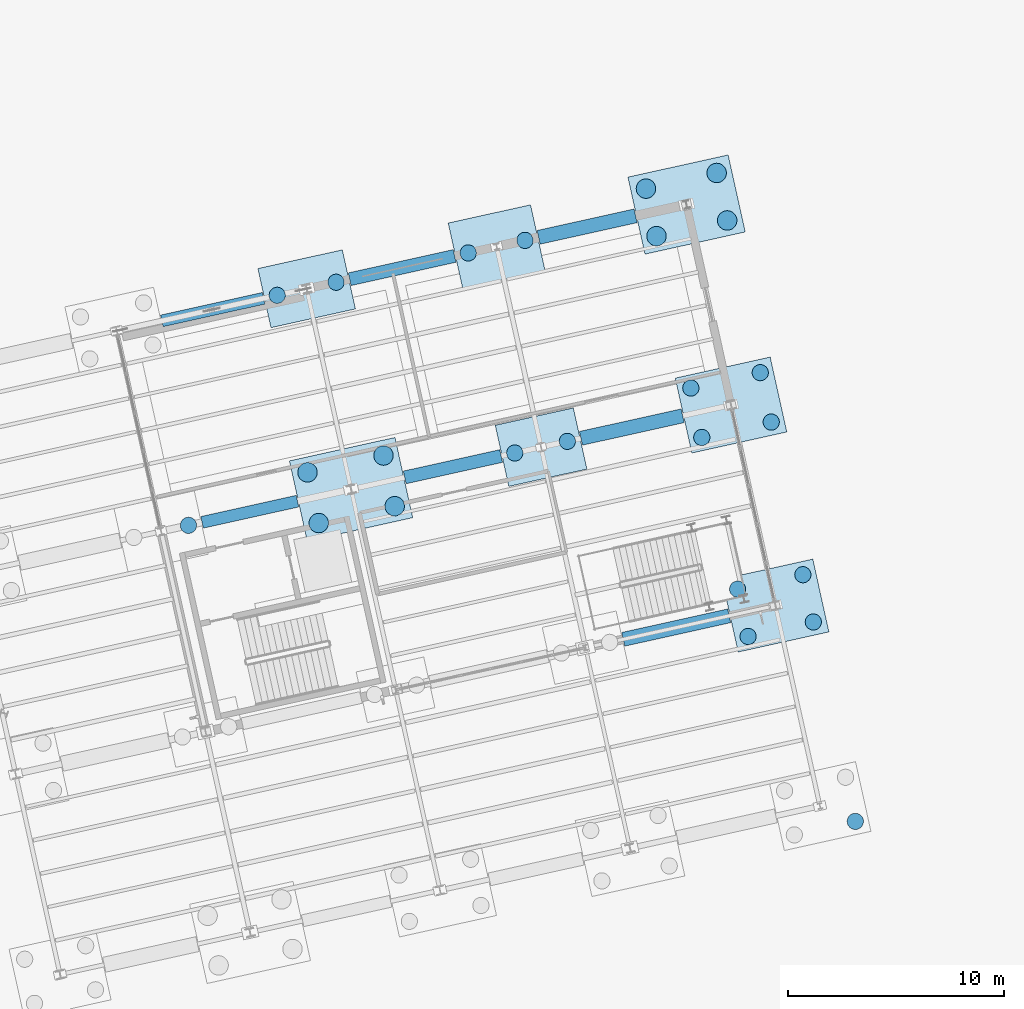
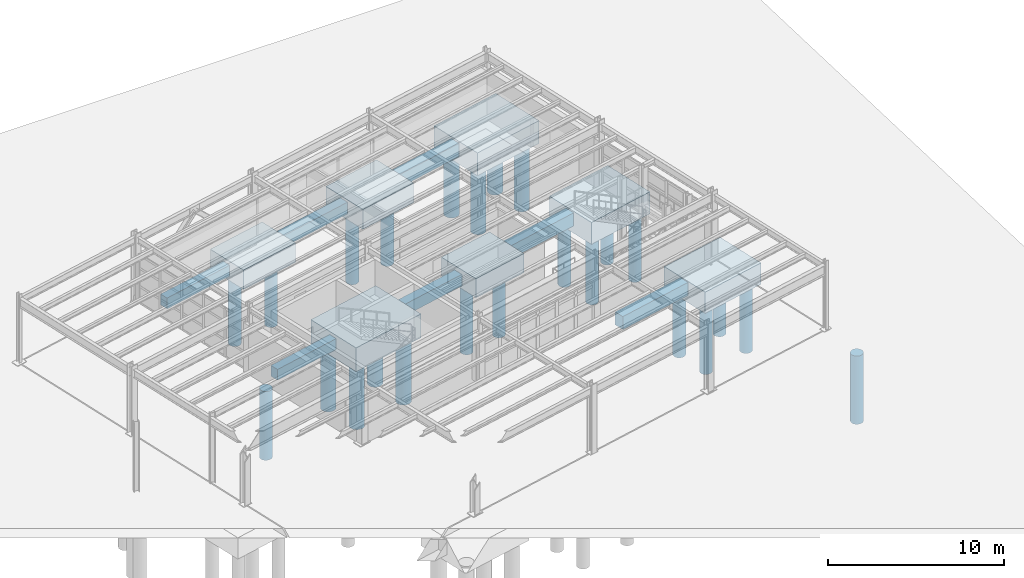
# One storey, part 8 of 108: 24 piles, 14 footings.
"""IFC4 building model written with IfcOpenShell, lengths in metres."""

from ifc_helpers import new_model, si_unit, direction, frame, origin, origin_2d, place, context, subcontext, project, spatial, rectangle, circle, extrude, material, material_profile, profile_set, type_object, element, save


model = new_model("IFC4")

# Units and contexts
model_context = context("Model", 3, precision=1e-05, world=origin(), true_north=direction((0.0, 1.0)))
body_context = subcontext(model_context, "Body", "Model", "MODEL_VIEW")
ifc_project = project(units=[si_unit("LENGTHUNIT", "METRE"), si_unit("AREAUNIT", "SQUARE_METRE"), si_unit("VOLUMEUNIT", "CUBIC_METRE"), si_unit("PLANEANGLEUNIT", "RADIAN"), si_unit("MASSUNIT", "GRAM", prefix="KILO")], contexts=[model_context])

# Site, building, storey
site_placement = place(None, origin())
site = spatial("IfcSite", under=ifc_project, at=site_placement, CompositionType="ELEMENT")
building_placement = place(site_placement, origin())
building = spatial("IfcBuilding", under=site, at=building_placement, Name="Vireo Bluff Cable Station", CompositionType="ELEMENT")
storey_placement = place(building_placement, origin())
storey = spatial("IfcBuildingStorey", under=building, at=storey_placement, Name="L00", CompositionType="ELEMENT", Elevation=0.0)

# Piles
ifc_material_1 = material(Name="Concrete f'c 45 MPa", Category="concrete")
ifc_material_profile_1 = material_profile(ifc_material_1, circle(Radius=0.375, at=origin_2d()), Name="BOREDPILE-750")
ifc_profile_set_1 = profile_set([ifc_material_profile_1], Name="Concrete f'c 45 MPa")
pile_type_1 = type_object("IfcPileType", Name="BOREDPILE-750", PredefinedType="BORED", material=ifc_profile_set_1)
pile_1_placement = place(storey_placement, frame((131.938720703125, 94.77783203125, -1.72998046875), z_axis=(0.0, 0.0, -1.0), x_axis=(1.0, 0.0, 0.0)))
element("IfcPile", 1, at=pile_1_placement, inside=storey, type_object=pile_type_1, Name="V2 rock-socketed bored pile 102", PredefinedType="BORED", context=body_context, shape_type="SweptSolid", body=[
    extrude(circle(Radius=0.375, at=origin_2d()), origin(), (0.0, 0.0, 1.0), 4.77001953125),
])
for number, where, z_axis, x_axis, name in (
    (2, (136.04296875, 105.41845703125, -1.679931640625), (0.0, 0.0, -1.0), (1.0, 0.0, 0.0), "V2 rock-socketed bored pile 117"),
    (3, (138.766845703125, 106.022216796875, -1.679931640625), (0.0, 0.0, -1.0), (1.0, 0.0, 0.0), "V2 rock-socketed bored pile 118"),
):
    element("IfcPile", number, at=place(storey_placement, frame(where, z_axis=z_axis, x_axis=x_axis)), inside=storey, type_object=pile_type_1, Name=name, PredefinedType="BORED", context=body_context, shape_type="SweptSolid", body=[
        extrude(circle(Radius=0.375, at=origin_2d()), origin(), (0.0, 0.0, 1.0), 4.820068359375),
    ])
for number, where, z_axis, x_axis, name in (
    (4, (147.0322265625, 98.1240234375, -1.64990234375), (0.0, 0.0, -1.0), (1.0, 0.0, 0.0), "V2 rock-socketed bored pile 125"),
    (5, (149.463134765625, 98.662841796875, -1.64990234375), (0.0, 0.0, -1.0), (1.0, 0.0, 0.0), "V2 rock-socketed bored pile 126"),
):
    element("IfcPile", number, at=place(storey_placement, frame(where, z_axis=z_axis, x_axis=x_axis)), inside=storey, type_object=pile_type_1, Name=name, PredefinedType="BORED", context=body_context, shape_type="SweptSolid", body=[
        extrude(circle(Radius=0.375, at=origin_2d()), origin(), (0.0, 0.0, 1.0), 4.85009765625),
    ])
for number, where, z_axis, x_axis, name in (
    (6, (144.87841796875, 107.377197265625, -1.7099609375), (0.0, 0.0, -1.0), (1.0, 0.0, 0.0), "V2 rock-socketed bored pile 127"),
    (7, (147.504638671875, 107.95947265625, -1.7099609375), (0.0, 0.0, -1.0), (1.0, 0.0, 0.0), "V2 rock-socketed bored pile 128"),
):
    element("IfcPile", number, at=place(storey_placement, frame(where, z_axis=z_axis, x_axis=x_axis)), inside=storey, type_object=pile_type_1, Name=name, PredefinedType="BORED", context=body_context, shape_type="SweptSolid", body=[
        extrude(circle(Radius=0.375, at=origin_2d()), origin(), (0.0, 0.0, 1.0), 4.7900390625),
    ])
pile_2_placement = place(storey_placement, frame((162.78369140625, 81.08447265625, -1.77001953125), z_axis=(0.0, 0.0, -1.0), x_axis=(1.0, 0.0, 0.0)))
element("IfcPile", 8, at=pile_2_placement, inside=storey, type_object=pile_type_1, Name="V2 rock-socketed bored pile 130", PredefinedType="BORED", context=body_context, shape_type="SweptSolid", body=[
    extrude(circle(Radius=0.375, at=origin_2d()), origin(), (0.0, 0.0, 1.0), 4.72998046875),
])
for number, where, z_axis, x_axis, name in (
    (9, (157.824462890625, 89.638671875, -1.81005859375), (0.0, 0.0, -1.0), (1.0, 0.0, 0.0), "V2 rock-socketed bored pile 133"),
    (10, (160.84130859375, 90.3076171875, -1.81005859375), (0.0, 0.0, -1.0), (1.0, 0.0, 0.0), "V2 rock-socketed bored pile 134"),
    (11, (160.3564453125, 92.494384765625, -1.81005859375), (0.0, 0.0, -1.0), (1.0, 0.0, 0.0), "V2 rock-socketed bored pile 135"),
    (12, (157.339599609375, 91.82568359375, -1.81005859375), (0.0, 0.0, -1.0), (1.0, 0.0, 0.0), "V2 rock-socketed bored pile 136"),
):
    element("IfcPile", number, at=place(storey_placement, frame(where, z_axis=z_axis, x_axis=x_axis)), inside=storey, type_object=pile_type_1, Name=name, PredefinedType="BORED", context=body_context, shape_type="SweptSolid", body=[
        extrude(circle(Radius=0.375, at=origin_2d()), origin(), (0.0, 0.0, 1.0), 4.68994140625),
    ])
for number, where, z_axis, x_axis, name in (
    (13, (155.681640625, 98.84326171875, -1.85009765625), (0.0, 0.0, -1.0), (1.0, 0.0, 0.0), "V2 rock-socketed bored pile 137"),
    (14, (158.8935546875, 99.55517578125, -1.85009765625), (0.0, 0.0, -1.0), (1.0, 0.0, 0.0), "V2 rock-socketed bored pile 138"),
    (15, (158.386962890625, 101.83984375, -1.85009765625), (0.0, 0.0, -1.0), (1.0, 0.0, 0.0), "V2 rock-socketed bored pile 139"),
    (16, (155.175048828125, 101.127685546875, -1.85009765625), (0.0, 0.0, -1.0), (1.0, 0.0, 0.0), "V2 rock-socketed bored pile 140"),
):
    element("IfcPile", number, at=place(storey_placement, frame(where, z_axis=z_axis, x_axis=x_axis)), inside=storey, type_object=pile_type_1, Name=name, PredefinedType="BORED", context=body_context, shape_type="SweptSolid", body=[
        extrude(circle(Radius=0.375, at=origin_2d()), origin(), (0.0, 0.0, 1.0), 4.64990234375),
    ])
ifc_material_profile_2 = material_profile(ifc_material_1, circle(Radius=0.449951171875, at=origin_2d()), Name="BOREDPILE-900")
ifc_profile_set_2 = profile_set([ifc_material_profile_2], Name="Concrete f'c 45 MPa")
pile_type_2 = type_object("IfcPileType", Name="BOREDPILE-900", PredefinedType="BORED", material=ifc_profile_set_2)
for number, where, z_axis, x_axis, name in (
    (17, (137.96337890625, 94.88427734375, -1.97998046875), (0.0, 0.0, -1.0), (1.0, 0.0, 0.0), "V2 rock-socketed bored pile 113"),
    (18, (141.47802734375, 95.66357421875, -1.97998046875), (0.0, 0.0, -1.0), (1.0, 0.0, 0.0), "V2 rock-socketed bored pile 114"),
    (19, (140.95849609375, 98.006591796875, -1.97998046875), (0.0, 0.0, -1.0), (1.0, 0.0, 0.0), "V2 rock-socketed bored pile 115"),
    (20, (137.44384765625, 97.2275390625, -1.97998046875), (0.0, 0.0, -1.0), (1.0, 0.0, 0.0), "V2 rock-socketed bored pile 116"),
):
    element("IfcPile", number, at=place(storey_placement, frame(where, z_axis=z_axis, x_axis=x_axis)), inside=storey, type_object=pile_type_2, Name=name, PredefinedType="BORED", context=body_context, shape_type="SweptSolid", body=[
        extrude(circle(Radius=0.449951171875, at=origin_2d()), origin(), (0.0, 0.0, 1.0), 4.52001953125),
    ])
for number, where, z_axis, x_axis, name in (
    (21, (153.58642578125, 108.1552734375, -1.909912109375), (0.0, 0.0, -1.0), (1.0, 0.0, 0.0), "V2 rock-socketed bored pile 141"),
    (22, (156.85693359375, 108.88037109375, -1.909912109375), (0.0, 0.0, -1.0), (1.0, 0.0, 0.0), "V2 rock-socketed bored pile 142"),
    (23, (156.369873046875, 111.0771484375, -1.909912109375), (0.0, 0.0, -1.0), (1.0, 0.0, 0.0), "V2 rock-socketed bored pile 143"),
    (24, (153.099365234375, 110.35205078125, -1.909912109375), (0.0, 0.0, -1.0), (1.0, 0.0, 0.0), "V2 rock-socketed bored pile 144"),
):
    element("IfcPile", number, at=place(storey_placement, frame(where, z_axis=z_axis, x_axis=x_axis)), inside=storey, type_object=pile_type_2, Name=name, PredefinedType="BORED", context=body_context, shape_type="SweptSolid", body=[
        extrude(circle(Radius=0.449951171875, at=origin_2d()), origin(), (0.0, 0.0, 1.0), 4.590087890625),
    ])

# Footings
ifc_material_2 = material(Name="Concrete f'c 40 MPa", Category="concrete")
ifc_material_profile_3 = material_profile(ifc_material_2, rectangle(XDim=0.550048828125, YDim=0.75, at=origin_2d()), Name="GRADEBM-550X750")
ifc_profile_set_3 = profile_set([ifc_material_profile_3], Name="Concrete f'c 40 MPa")
footing_type_1 = type_object("IfcFootingType", Name="GRADEBM-550X750", PredefinedType="FOOTING_BEAM", material=ifc_profile_set_3)
footing_1_placement = place(storey_placement, frame((132.568359375, 94.91748046875, -1.0), z_axis=(0.976297502588, 0.216432868209, 0.0), x_axis=(-0.216432868209, 0.976297502588, 0.0)))
element("IfcFooting", 25, at=footing_1_placement, inside=storey, type_object=footing_type_1, Name="V2 foundation grade beam 32", PredefinedType="FOOTING_BEAM", context=body_context, shape_type="SweptSolid", body=[
    extrude(rectangle(XDim=0.550048828125, YDim=0.75, at=origin_2d()), origin(), (0.0, 0.0, 1.0), 4.52001953125),
])
footing_2_placement = place(storey_placement, frame((130.70751953125, 104.235595703125, -1.050048828125), z_axis=(0.976295396241, 0.216442369417, 0.0), x_axis=(-0.216442369417, 0.976295396241, 0.0)))
element("IfcFooting", 26, at=footing_2_placement, inside=storey, type_object=footing_type_1, Name="V2 foundation grade beam 36", PredefinedType="FOOTING_BEAM", context=body_context, shape_type="SweptSolid", body=[
    extrude(rectangle(XDim=0.550048828125, YDim=0.75, at=origin_2d()), origin(), (0.0, 0.0, 1.0), 4.81982421875),
])
ifc_material_profile_4 = material_profile(ifc_material_2, rectangle(XDim=0.60009765625, YDim=0.800048828125, at=origin_2d()), Name="GRADEBM-600X800")
ifc_profile_set_4 = profile_set([ifc_material_profile_4], Name="Concrete f'c 40 MPa")
footing_type_2 = type_object("IfcFootingType", Name="GRADEBM-600X800", PredefinedType="FOOTING_BEAM", material=ifc_profile_set_4)
footing_3_placement = place(storey_placement, frame((141.940673828125, 96.995361328125, -1.125), z_axis=(0.976301312072, 0.216415683458, 0.0), x_axis=(-0.216415683458, 0.976301312072, 0.0)))
element("IfcFooting", 27, at=footing_3_placement, inside=storey, type_object=footing_type_2, Name="V2 foundation grade beam 33", PredefinedType="FOOTING_BEAM", context=body_context, shape_type="SweptSolid", body=[
    extrude(rectangle(XDim=0.60009765625, YDim=0.800048828125, at=origin_2d()), origin(), (0.0, 0.0, 1.0), 4.570068359375),
])
footing_4_placement = place(storey_placement, frame((139.396484375, 106.161865234375, -0.97509765625), z_axis=(0.976295589051, 0.216441499716, 0.0), x_axis=(-0.216441499716, 0.976295589051, 0.0)))
element("IfcFooting", 28, at=footing_4_placement, inside=storey, type_object=footing_type_2, Name="V2 foundation grade beam 37", PredefinedType="FOOTING_BEAM", context=body_context, shape_type="SweptSolid", body=[
    extrude(rectangle(XDim=0.60009765625, YDim=0.800048828125, at=origin_2d()), origin(), (0.0, 0.0, 1.0), 4.969970703125),
])
ifc_material_profile_5 = material_profile(ifc_material_2, rectangle(XDim=0.64990234375, YDim=0.89990234375, at=origin_2d()), Name="GRADEBM-650X900")
ifc_profile_set_5 = profile_set([ifc_material_profile_5], Name="Concrete f'c 40 MPa")
footing_type_3 = type_object("IfcFootingType", Name="GRADEBM-650X900", PredefinedType="FOOTING_BEAM", material=ifc_profile_set_5)
footing_5_placement = place(storey_placement, frame((152.05126953125, 89.506103515625, -0.925048828125), z_axis=(0.976301354242, 0.216415493219, 0.0), x_axis=(-0.216415493219, 0.976301354242, 0.0)))
element("IfcFooting", 29, at=footing_5_placement, inside=storey, type_object=footing_type_3, Name="V2 foundation grade beam 30", PredefinedType="FOOTING_BEAM", context=body_context, shape_type="SweptSolid", body=[
    extrude(rectangle(XDim=0.64990234375, YDim=0.89990234375, at=origin_2d()), origin(), (0.0, 0.0, 1.0), 5.02001953125),
])
footing_6_placement = place(storey_placement, frame((150.0927734375, 98.802490234375, -0.9599609375), z_axis=(0.976297769044, 0.216431666258, 0.0), x_axis=(-0.216431666258, 0.976297769044, 0.0)))
element("IfcFooting", 30, at=footing_6_placement, inside=storey, type_object=footing_type_3, Name="V2 foundation grade beam 34", PredefinedType="FOOTING_BEAM", context=body_context, shape_type="SweptSolid", body=[
    extrude(rectangle(XDim=0.64990234375, YDim=0.89990234375, at=origin_2d()), origin(), (0.0, 0.0, 1.0), 4.820068359375),
])
footing_7_placement = place(storey_placement, frame((148.13427734375, 108.09912109375, -0.989990234375), z_axis=(0.976303185616, 0.216407231293, 0.0), x_axis=(-0.216407231293, 0.976303185616, 0.0)))
element("IfcFooting", 31, at=footing_7_placement, inside=storey, type_object=footing_type_3, Name="V2 foundation grade beam 38", PredefinedType="FOOTING_BEAM", context=body_context, shape_type="SweptSolid", body=[
    extrude(rectangle(XDim=0.64990234375, YDim=0.89990234375, at=origin_2d()), origin(), (0.0, 0.0, 1.0), 4.594970703125),
])
footing_type_4 = type_object("IfcFootingType", Name="PCAP-370X290X132", PredefinedType="PILE_CAP", material=ifc_material_2)
footing_8_placement = place(storey_placement, frame((148.24755859375, 98.3935546875, -1.77001953125), z_axis=(0.0, 0.0, 1.0), x_axis=(0.97629600712, 0.216439613938, 0.0)))
element("IfcFooting", 32, at=footing_8_placement, inside=storey, type_object=footing_type_4, Name="V2 pile cap 41", PredefinedType="PILE_CAP", context=body_context, shape_type="SweptSolid", body=[
    extrude(rectangle(XDim=3.699951171875, YDim=2.89990234375, at=origin_2d()), origin(), (0.0, 0.0, 1.0), 1.320068359375),
])
footing_type_5 = type_object("IfcFootingType", Name="PCAP-390X310X138", PredefinedType="PILE_CAP", material=ifc_material_2)
footing_9_placement = place(storey_placement, frame((146.19140625, 107.668212890625, -1.829833984375), z_axis=(0.0, 0.0, 1.0), x_axis=(0.97629600712, 0.216439613938, 0.0)))
element("IfcFooting", 33, at=footing_9_placement, inside=storey, type_object=footing_type_5, Name="V2 pile cap 42", PredefinedType="PILE_CAP", context=body_context, shape_type="SweptSolid", body=[
    extrude(rectangle(XDim=3.89990234375, YDim=3.10009765625, at=origin_2d()), origin(), (0.0, 0.0, 1.0), 1.3798828125),
])
footing_type_6 = type_object("IfcFootingType", Name="PCAP-400X280X135", PredefinedType="PILE_CAP", material=ifc_material_2)
footing_10_placement = place(storey_placement, frame((137.40478515625, 105.720458984375, -1.800048828125), z_axis=(0.0, 0.0, 1.0), x_axis=(0.97629600712, 0.216439613938, 0.0)))
element("IfcFooting", 34, at=footing_10_placement, inside=storey, type_object=footing_type_6, Name="V2 pile cap 38", PredefinedType="PILE_CAP", context=body_context, shape_type="SweptSolid", body=[
    extrude(rectangle(XDim=4.0, YDim=2.800048828125, at=origin_2d()), origin(), (0.0, 0.0, 1.0), 1.35009765625),
])
footing_type_7 = type_object("IfcFootingType", Name="PCAP-430X345X148", PredefinedType="PILE_CAP", material=ifc_material_2)
footing_11_placement = place(storey_placement, frame((159.090576171875, 91.066650390625, -1.929931640625), z_axis=(0.0, 0.0, 1.0), x_axis=(0.97629600712, 0.216439613938, 0.0)))
element("IfcFooting", 35, at=footing_11_placement, inside=storey, type_object=footing_type_7, Name="V2 pile cap 44", PredefinedType="PILE_CAP", context=body_context, shape_type="SweptSolid", body=[
    extrude(rectangle(XDim=4.300048828125, YDim=3.449951171875, at=origin_2d()), origin(), (0.0, 0.0, 1.0), 1.47998046875),
])
footing_type_8 = type_object("IfcFootingType", Name="PCAP-450X355X152", PredefinedType="PILE_CAP", material=ifc_material_2)
footing_12_placement = place(storey_placement, frame((157.034423828125, 100.341552734375, -1.969970703125), z_axis=(0.0, 0.0, 1.0), x_axis=(0.97629600712, 0.216439613938, 0.0)))
element("IfcFooting", 36, at=footing_12_placement, inside=storey, type_object=footing_type_8, Name="V2 pile cap 45", PredefinedType="PILE_CAP", context=body_context, shape_type="SweptSolid", body=[
    extrude(rectangle(XDim=4.5, YDim=3.550048828125, at=origin_2d()), origin(), (0.0, 0.0, 1.0), 1.52001953125),
])
footing_type_9 = type_object("IfcFootingType", Name="PCAP-475X365X158", PredefinedType="PILE_CAP", material=ifc_material_2)
footing_13_placement = place(storey_placement, frame((154.97802734375, 109.6162109375, -2.030029296875), z_axis=(0.0, 0.0, 1.0), x_axis=(0.97629600712, 0.216439613938, 0.0)))
element("IfcFooting", 37, at=footing_13_placement, inside=storey, type_object=footing_type_9, Name="V2 pile cap 46", PredefinedType="PILE_CAP", context=body_context, shape_type="SweptSolid", body=[
    extrude(rectangle(XDim=4.75, YDim=3.64990234375, at=origin_2d()), origin(), (0.0, 0.0, 1.0), 1.580078125),
])
footing_type_10 = type_object("IfcFootingType", Name="PCAP-500X380X165", PredefinedType="PILE_CAP", material=ifc_material_2)
footing_14_placement = place(storey_placement, frame((139.4609375, 96.445556640625, -2.099853515625), z_axis=(0.0, 0.0, 1.0), x_axis=(0.97629600712, 0.216439613938, 0.0)))
element("IfcFooting", 38, at=footing_14_placement, inside=storey, type_object=footing_type_10, Name="V2 pile cap 37", PredefinedType="PILE_CAP", context=body_context, shape_type="SweptSolid", body=[
    extrude(rectangle(XDim=5.0, YDim=3.800048828125, at=origin_2d()), origin(), (0.0, 0.0, 1.0), 1.64990234375),
])

save(model, "model.ifc")
